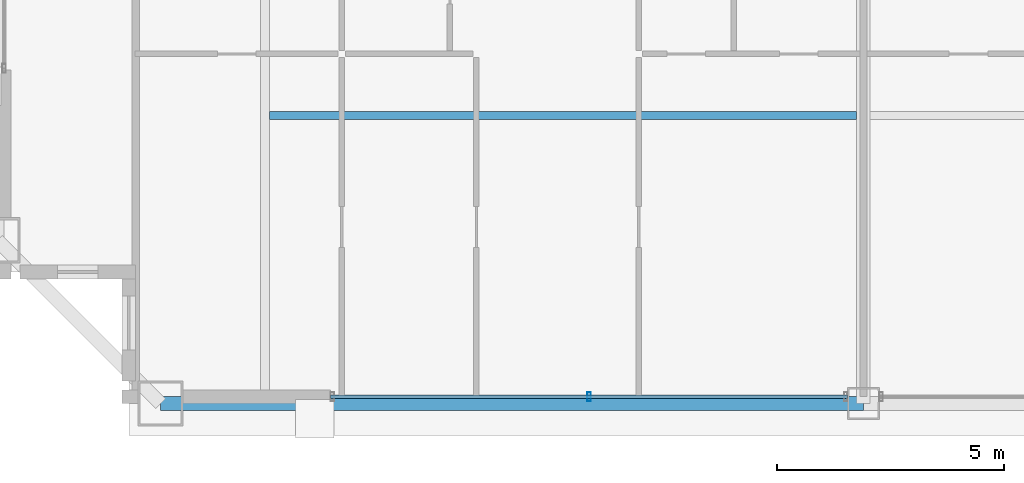
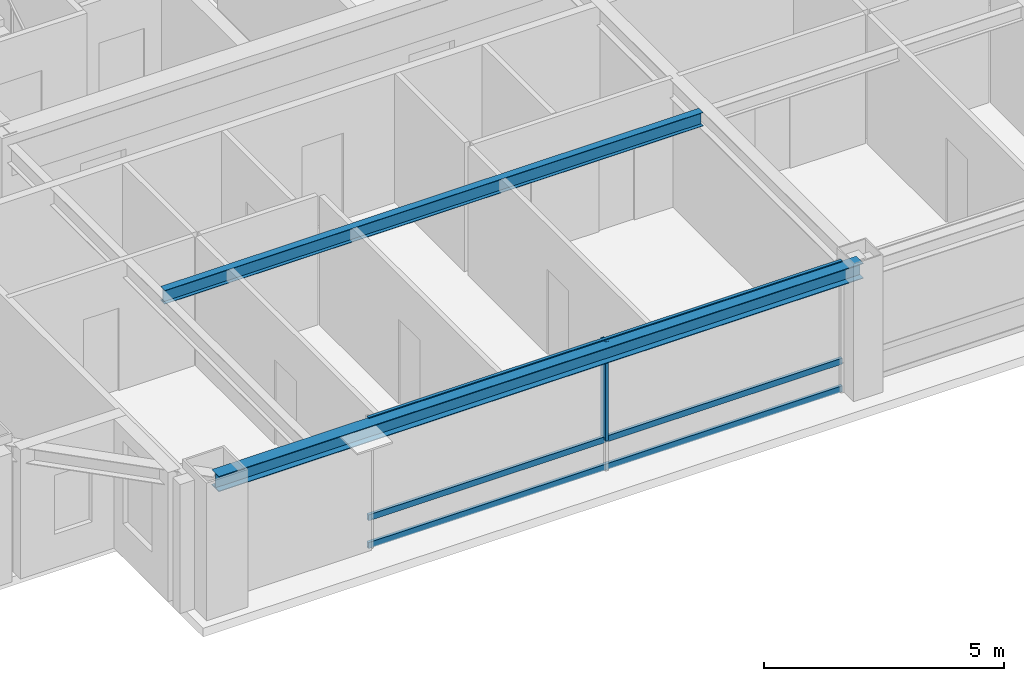
# One storey, part 5 of 34: 4 members, 2 beams, 1 element without a shape of its own.
"""IFC4 building model written with IfcOpenShell, lengths in metres."""

from ifc_helpers import new_model, si_unit, direction, frame, origin, origin_2d, place, context, subcontext, project, spatial, hollow_rectangle, i_section, extrude, source, transform, mapped, material, layer, layer_set, material_profile, profile_set, type_object, element, aggregate, save


model = new_model("IFC4")

# Units and contexts
model_context = context("Model", 3, precision=1e-05, world=origin(), true_north=direction((0.0, 1.0)))
body_context = subcontext(model_context, "Body", "Model", "MODEL_VIEW")
ifc_project = project(units=[si_unit("LENGTHUNIT", "METRE"), si_unit("AREAUNIT", "SQUARE_METRE"), si_unit("VOLUMEUNIT", "CUBIC_METRE"), si_unit("PLANEANGLEUNIT", "RADIAN"), si_unit("MASSUNIT", "GRAM", prefix="KILO"), si_unit("THERMODYNAMICTEMPERATUREUNIT", "KELVIN"), si_unit("POWERUNIT", "WATT")], contexts=[model_context])

# Site, building, storey
site_placement = place(None, origin())
site = spatial("IfcSite", under=ifc_project, at=site_placement, CompositionType="ELEMENT")
building_placement = place(site_placement, origin())
building = spatial("IfcBuilding", under=site, at=building_placement, Name="Yuzanri Waterfront Tower", CompositionType="ELEMENT")
storey_placement = place(building_placement, frame((0.0, 0.0, 325.199951171875)))
storey = spatial("IfcBuildingStorey", under=building, at=storey_placement, Name="L87", CompositionType="ELEMENT", Elevation=325.199951171875)

# Beams
ifc_material_1 = material(Name="Steel Q355B", Category="steel")
ifc_material_profile_1 = material_profile(ifc_material_1, i_section(OverallWidth=0.175048828125, OverallDepth=0.35009765625, WebThickness=0.007080078125, FlangeThickness=0.010986328125, at=origin_2d()), Name="HN 350x175x7x11")
ifc_profile_set_1 = profile_set([ifc_material_profile_1], Name="Steel Q355B")
beam_type_1 = type_object("IfcBeamType", Name="Floor Joist Q355B HN 350x175", PredefinedType="JOIST", material=ifc_profile_set_1)
shared_shape_1 = source(origin(), body_context, "Body", "SweptSolid", [
    extrude(i_section(OverallWidth=0.175048828125, OverallDepth=0.35009765625, WebThickness=0.007080078125, FlangeThickness=0.010986328125, at=origin_2d()), origin(), (0.0, 0.0, 1.0), 12.9501953125),
])
beam_1_placement = place(storey_placement, frame((23.89990234375, 13.050048828125, 3.10498046875), z_axis=(1.0, 0.0, 0.0), x_axis=(0.0, 1.0, 0.0)))
element("IfcBeam", 1, at=beam_1_placement, inside=storey, type_object=beam_type_1, Name="L87 South Bay Joist W", PredefinedType="JOIST", context=body_context, shape_type="MappedRepresentation", body=[
    mapped(shared_shape_1, transform((0.0, 0.0, 0.0), scale=1.0)),
])
ifc_material_2 = material(Name="Steel Q355B", Category="steel")
ifc_material_profile_2 = material_profile(ifc_material_2, i_section(OverallWidth=0.300048828125, OverallDepth=0.389892578125, WebThickness=0.010009765625, FlangeThickness=0.01611328125, at=origin_2d()), Name="HM 390x300x10x16")
ifc_profile_set_2 = profile_set([ifc_material_profile_2], Name="Steel Q355B")
beam_type_2 = type_object("IfcBeamType", Name="Perimeter Spandrel Q355B HM 390x300", PredefinedType="SPANDREL", material=ifc_profile_set_2)
shared_shape_2 = source(origin(), body_context, "Body", "SweptSolid", [
    extrude(i_section(OverallWidth=0.300048828125, OverallDepth=0.389892578125, WebThickness=0.010009765625, FlangeThickness=0.01611328125, at=origin_2d()), origin(), (0.0, 0.0, 1.0), 15.5),
])
beam_2_placement = place(storey_placement, frame((21.5, 6.699951171875, 3.0849609375), z_axis=(1.0, 0.0, 0.0), x_axis=(0.0, 1.0, 0.0)))
element("IfcBeam", 2, at=beam_2_placement, inside=storey, type_object=beam_type_2, Name="L87 Perimeter Spandrel S1-S2", PredefinedType="SPANDREL", context=body_context, shape_type="MappedRepresentation", body=[
    mapped(shared_shape_2, transform((0.0, 0.0, 0.0), scale=1.0)),
])

# Curtain wall, members
ifc_material_3 = material(Name="Anodized Architectural Bronze", Category="metal")
ifc_layer = layer(ifc_material_3, 0.159912109375)
ifc_layer_set = layer_set([ifc_layer], Name="Anodized Architectural Bronze")
curtain_wall_type = type_object("IfcCurtainWallType", Name="Anodized Bronze High-Rise Penthouse High-Wind Unitized Curtain Wall 6900", PredefinedType="NOTDEFINED", material=ifc_layer_set)
curtain_wall_placement = place(storey_placement, origin())
curtain_wall = element("IfcCurtainWall", 3, at=curtain_wall_placement, inside=storey, type_object=curtain_wall_type, Name="L87 Curtain Wall CW-L87-SL", PredefinedType="NOTDEFINED")
ifc_material_4 = material(Name="Anodized Architectural Bronze", Category="metal")
ifc_material_profile_3 = material_profile(ifc_material_4, hollow_rectangle(XDim=0.074951171875, YDim=0.199951171875, WallThickness=0.00390625, at=origin_2d()), Name="CWM 75x200")
ifc_profile_set_3 = profile_set([ifc_material_profile_3], Name="Anodized Architectural Bronze")
member_type_1 = type_object("IfcMemberType", Name="Anodized Bronze Primary Curtain-Wall Mullion 75x200", PredefinedType="MULLION", material=ifc_profile_set_3)
shared_shape_3 = source(origin(), body_context, "Body", "SweptSolid", [
    extrude(hollow_rectangle(XDim=0.074951171875, YDim=0.199951171875, WallThickness=0.00390625, at=origin_2d()), origin(), (0.0, 0.0, 1.0), 2.52392578125),
])
member_1_placement = place(storey_placement, frame((30.949951171875, 6.85009765625, 0.756103515625), z_axis=(0.0, 0.0, 1.0), x_axis=(1.0, 0.0, 0.0)))
member_1 = element("IfcMember", 4, at=member_1_placement, type_object=member_type_1, Name="CW-L87-SL Upper Mullion 01", PredefinedType="MULLION", context=body_context, shape_type="MappedRepresentation", body=[
    mapped(shared_shape_3, transform((0.0, 0.0, 0.0), scale=1.0)),
])
ifc_material_5 = material(Name="Anodized Architectural Bronze", Category="metal")
ifc_material_profile_4 = material_profile(ifc_material_5, hollow_rectangle(XDim=0.074951171875, YDim=0.14990234375, WallThickness=0.00390625, at=origin_2d()), Name="CWT 75x150")
ifc_profile_set_4 = profile_set([ifc_material_profile_4], Name="Anodized Architectural Bronze")
member_type_2 = type_object("IfcMemberType", Name="Anodized Bronze Primary Curtain-Wall Transom 75x150", PredefinedType="USERDEFINED", material=ifc_profile_set_4)
shared_shape_4 = source(origin(), body_context, "Body", "SweptSolid", [
    extrude(hollow_rectangle(XDim=0.074951171875, YDim=0.14990234375, WallThickness=0.00390625, at=origin_2d()), origin(), (0.0, 0.0, 1.0), 11.39990234375),
])
member_2_placement = place(storey_placement, frame((25.25, 6.85009765625, 0.050048828125), z_axis=(1.0, 0.0, 0.0), x_axis=(0.0, 1.0, 0.0)))
member_2 = element("IfcMember", 5, at=member_2_placement, type_object=member_type_2, Name="CW-L87-SL Transom 1", ObjectType="TRANSOM", PredefinedType="USERDEFINED", context=body_context, shape_type="MappedRepresentation", body=[
    mapped(shared_shape_4, transform((0.0, 0.0, 0.0), scale=1.0)),
])
member_3_placement = place(storey_placement, frame((25.25, 6.85009765625, 0.754150390625), z_axis=(1.0, 0.0, 0.0), x_axis=(0.0, 1.0, 0.0)))
member_3 = element("IfcMember", 6, at=member_3_placement, type_object=member_type_2, Name="CW-L87-SL Transom 2", ObjectType="TRANSOM", PredefinedType="USERDEFINED", context=body_context, shape_type="MappedRepresentation", body=[
    mapped(shared_shape_4, transform((0.0, 0.0, 0.0), scale=1.0)),
])
member_4_placement = place(storey_placement, frame((25.25, 6.85009765625, 3.22998046875), z_axis=(1.0, 0.0, 0.0), x_axis=(0.0, 1.0, 0.0)))
member_4 = element("IfcMember", 7, at=member_4_placement, type_object=member_type_2, Name="CW-L87-SL Transom 3", ObjectType="TRANSOM", PredefinedType="USERDEFINED", context=body_context, shape_type="MappedRepresentation", body=[
    mapped(shared_shape_4, transform((0.0, 0.0, 0.0), scale=1.0)),
])
aggregate(curtain_wall, [member_1, member_2, member_3, member_4])

save(model, "model.ifc")
